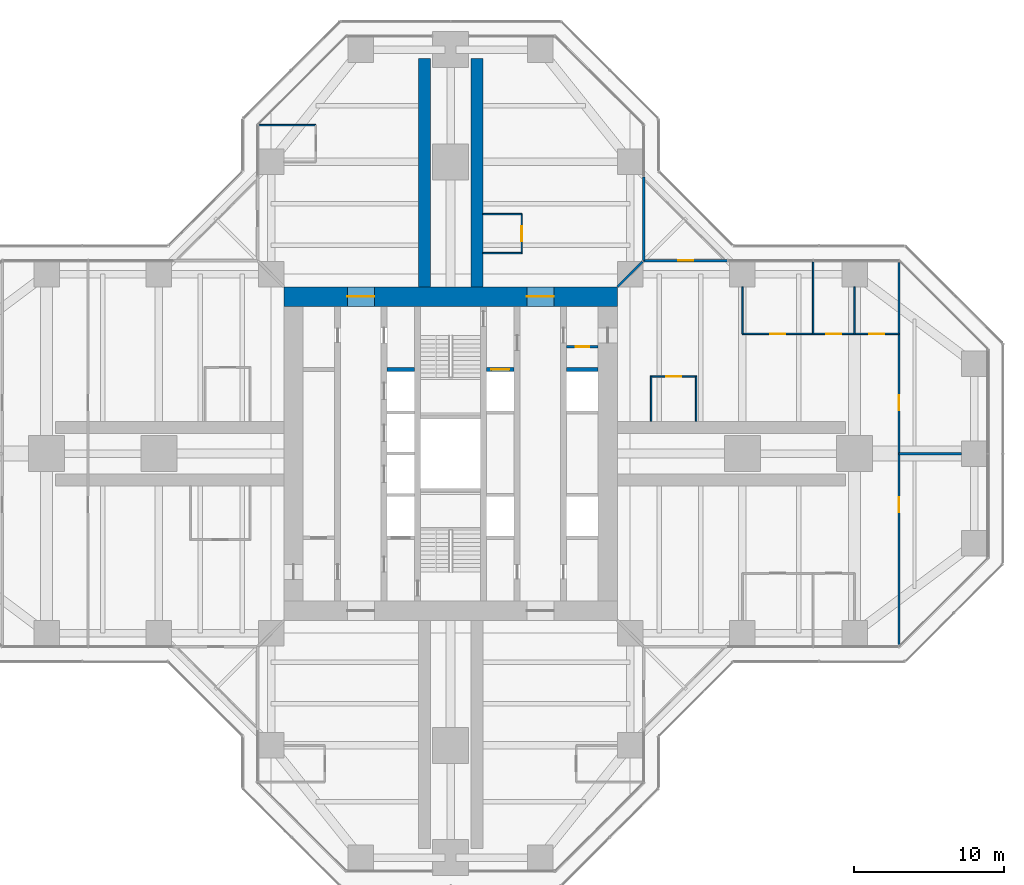
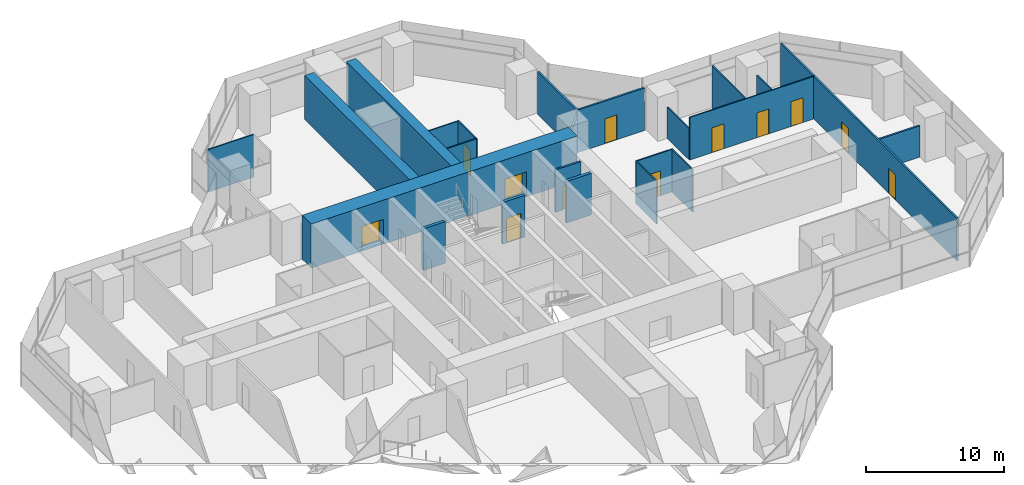
# One storey, part 17 of 20: 23 walls, 12 doors, 12 openings.
"""IFC4 building model written with IfcOpenShell, lengths in metres."""

from ifc_helpers import new_model, si_unit, direction, frame, frame_2d, origin, place, context, subcontext, project, spatial, rectangle, extrude, material, layer, layer_set, type_object, element, fill, save


model = new_model("IFC4")

# Units and contexts
model_context = context("Model", 3, precision=1e-05, world=origin(), true_north=direction((0.0, 1.0)))
body_context = subcontext(model_context, "Body", "Model", "MODEL_VIEW")
ifc_project = project(units=[si_unit("LENGTHUNIT", "METRE"), si_unit("AREAUNIT", "SQUARE_METRE"), si_unit("VOLUMEUNIT", "CUBIC_METRE"), si_unit("PLANEANGLEUNIT", "RADIAN"), si_unit("MASSUNIT", "GRAM", prefix="KILO")], contexts=[model_context])

# Site, building, storey
site_placement = place(None, origin())
site = spatial("IfcSite", under=ifc_project, at=site_placement, CompositionType="ELEMENT")
building_placement = place(site_placement, origin())
building = spatial("IfcBuilding", under=site, at=building_placement, Name="Mizan Broadcast Tower", CompositionType="ELEMENT")
storey_placement = place(building_placement, frame((0.0, 0.0, 151.5)))
storey = spatial("IfcBuildingStorey", under=building, at=storey_placement, Name="L34", CompositionType="ELEMENT", Elevation=151.5)

# Wall, opening, door
ifc_material_1 = material(Name="Concrete blockwork", Category="masonry")
ifc_layer_1 = layer(ifc_material_1, 0.14990234375)
ifc_layer_set_1 = layer_set([ifc_layer_1], Name="Concrete blockwork")
wall_type_1 = type_object("IfcWallType", Name="CORE PARTITION 150", PredefinedType="SOLIDWALL", material=ifc_layer_set_1)
wall_1_placement = place(storey_placement, frame((9.85009765625, 7.14990234375, 0.0), z_axis=(0.0, 0.0, 1.0), x_axis=(-1.0, 0.0, 0.0)))
wall_1 = element("IfcWall", 1, at=wall_1_placement, inside=storey, type_object=wall_type_1, Name="Core partition CORE/XPE", PredefinedType="SOLIDWALL", context=body_context, shape_type="SweptSolid", body=[
    extrude(rectangle(XDim=2.10009765625, YDim=0.14990234375, at=frame_2d((1.050048828125, 0.0))), origin(), (0.0, 0.0, 1.0), 3.77001953125),
])
opening_1_placement = place(wall_1_placement, frame((0.60009765625, 0.0, 0.0)))
opening_1 = element("IfcOpeningElement", 2, at=opening_1_placement, cuts=wall_1, Name="Opening D09F", PredefinedType="OPENING", context=body_context, shape_type="SweptSolid", body=[
    extrude(rectangle(XDim=0.89990234375, YDim=2.10009765625, at=frame_2d((0.449951171875, 1.050048828125))), frame((0.0, 0.0849609375, 0.0), z_axis=(0.0, -1.0, 0.0), x_axis=(1.0, 0.0, 0.0)), (0.0, 0.0, 1.0), 0.169921875),
])
ifc_material_2 = material(Name="Steel door leaf in steel frame", Category="steel")
door_type_1 = type_object("IfcDoorType", Name="CORE ROOM DOOR 900 FD90", OperationType="SINGLE_SWING_LEFT", PredefinedType="DOOR", material=ifc_material_2)
door_1_placement = place(opening_1_placement, origin())
door_1 = element("IfcDoor", 3, at=door_1_placement, inside=storey, type_object=door_type_1, Name="Comms cupboard door", OperationType="SINGLE_SWING_RIGHT", OverallHeight=2.10009765625, OverallWidth=0.89990234375, PredefinedType="DOOR", context=body_context, shape_type="SweptSolid", body=[
    extrude(rectangle(XDim=0.89990234375, YDim=2.10009765625, at=frame_2d((0.449951171875, 1.050048828125))), frame((0.0, 0.02490234375, 0.0), z_axis=(0.0, -1.0, 0.0), x_axis=(1.0, 0.0, 0.0)), (0.0, 0.0, 1.0), 0.050048828125),
])
fill(opening_1, door_1)

# Wall, openings, doors
ifc_material_3 = material(Name="Concrete C70/85", Category="concrete")
ifc_layer_2 = layer(ifc_material_3, 1.300048828125)
ifc_layer_set_2 = layer_set([ifc_layer_2], Name="Concrete C70/85")
wall_type_2 = type_object("IfcWallType", Name="CORE WALL 1300", PredefinedType="SHEAR", material=ifc_layer_set_2)
wall_2_placement = place(storey_placement, frame((-11.14990234375, 10.5, 0.0), z_axis=(0.0, 0.0, 1.0), x_axis=(1.0, 0.0, 0.0)))
wall_2 = element("IfcWall", 4, at=wall_2_placement, inside=storey, type_object=wall_type_2, Name="Core wall N L34", PredefinedType="SHEAR", context=body_context, shape_type="SweptSolid", body=[
    extrude(rectangle(XDim=22.2998046875, YDim=1.300048828125, at=frame_2d((11.14990234375, 0.0))), origin(), (0.0, 0.0, 1.0), 3.89990234375),
])
opening_2_placement = place(wall_2_placement, frame((4.25, 0.0, 0.0)))
opening_2 = element("IfcOpeningElement", 5, at=opening_2_placement, cuts=wall_2, Name="Opening D18F", PredefinedType="OPENING", context=body_context, shape_type="SweptSolid", body=[
    extrude(rectangle(XDim=1.800048828125, YDim=2.199951171875, at=frame_2d((0.89990234375, 1.10009765625))), frame((0.0, 0.659912109375, 0.0), z_axis=(0.0, -1.0, 0.0), x_axis=(1.0, 0.0, 0.0)), (0.0, 0.0, 1.0), 1.320068359375),
])
opening_3_placement = place(wall_2_placement, frame((16.25, 0.0, 0.0)))
opening_3 = element("IfcOpeningElement", 6, at=opening_3_placement, cuts=wall_2, Name="Opening D18F", PredefinedType="OPENING", context=body_context, shape_type="SweptSolid", body=[
    extrude(rectangle(XDim=1.800048828125, YDim=2.199951171875, at=frame_2d((0.89990234375, 1.10009765625))), frame((0.0, 0.659912109375, 0.0), z_axis=(0.0, -1.0, 0.0), x_axis=(1.0, 0.0, 0.0)), (0.0, 0.0, 1.0), 1.320068359375),
])
ifc_material_4 = material(Name="Steel door leaf in steel frame", Category="steel")
door_type_2 = type_object("IfcDoorType", Name="LOBBY DOUBLE DOOR 1800 FD90", OperationType="DOUBLE_DOOR_DOUBLE_SWING", PredefinedType="DOOR", material=ifc_material_4)
door_2_placement = place(opening_2_placement, origin())
door_2 = element("IfcDoor", 7, at=door_2_placement, inside=storey, type_object=door_type_2, Name="West lift lobby north door", OperationType="DOUBLE_DOOR_DOUBLE_SWING", OverallHeight=2.199951171875, OverallWidth=1.800048828125, PredefinedType="DOOR", context=body_context, shape_type="SweptSolid", body=[
    extrude(rectangle(XDim=1.800048828125, YDim=2.199951171875, at=frame_2d((0.89990234375, 1.10009765625))), frame((0.0, 0.02490234375, 0.0), z_axis=(0.0, -1.0, 0.0), x_axis=(1.0, 0.0, 0.0)), (0.0, 0.0, 1.0), 0.050048828125),
])
fill(opening_2, door_2)
door_3_placement = place(opening_3_placement, origin())
door_3 = element("IfcDoor", 8, at=door_3_placement, inside=storey, type_object=door_type_2, Name="East lift lobby north door", OperationType="DOUBLE_DOOR_DOUBLE_SWING", OverallHeight=2.199951171875, OverallWidth=1.800048828125, PredefinedType="DOOR", context=body_context, shape_type="SweptSolid", body=[
    extrude(rectangle(XDim=1.800048828125, YDim=2.199951171875, at=frame_2d((0.89990234375, 1.10009765625))), frame((0.0, 0.02490234375, 0.0), z_axis=(0.0, -1.0, 0.0), x_axis=(1.0, 0.0, 0.0)), (0.0, 0.0, 1.0), 0.050048828125),
])
fill(opening_3, door_3)

# Wall, opening, door
ifc_material_5 = material(Name="Aluminium framed glazed screen", Category="aluminium")
ifc_layer_3 = layer(ifc_material_5, 0.159912109375)
ifc_layer_set_3 = layer_set([ifc_layer_3], Name="Aluminium framed glazed screen")
wall_type_3 = type_object("IfcWallType", Name="GLAZED SCREEN WALL 160", PredefinedType="SOLIDWALL", material=ifc_layer_set_3)
wall_3_placement = place(storey_placement, frame((18.5, 12.89990234375, 0.0), z_axis=(0.0, 0.0, 1.0), x_axis=(-1.0, 0.0, 0.0)))
wall_3 = element("IfcWall", 9, at=wall_3_placement, inside=storey, type_object=wall_type_3, Name="Winter garden screen L34 E", PredefinedType="SOLIDWALL", context=body_context, shape_type="SweptSolid", body=[
    extrude(rectangle(XDim=5.60009765625, YDim=0.159912109375, at=frame_2d((2.800048828125, 0.0))), origin(), (0.0, 0.0, 1.0), 3.77001953125),
])
opening_4_placement = place(wall_3_placement, frame((2.300048828125, 0.0, 0.0)))
opening_4 = element("IfcOpeningElement", 10, at=opening_4_placement, cuts=wall_3, Name="Opening WGD", PredefinedType="OPENING", context=body_context, shape_type="SweptSolid", body=[
    extrude(rectangle(XDim=1.0, YDim=2.199951171875, at=frame_2d((0.5, 1.10009765625))), frame((0.0, 0.08984375, 0.0), z_axis=(0.0, -1.0, 0.0), x_axis=(1.0, 0.0, 0.0)), (0.0, 0.0, 1.0), 0.179931640625),
])
ifc_material_6 = material(Name="Aluminium framed glazed door", Category="aluminium")
door_type_3 = type_object("IfcDoorType", Name="WINTER GARDEN DOOR 1000 GLAZED", OperationType="SINGLE_SWING_LEFT", PredefinedType="DOOR", material=ifc_material_6)
door_4_placement = place(opening_4_placement, origin())
door_4 = element("IfcDoor", 11, at=door_4_placement, inside=storey, type_object=door_type_3, Name="Winter garden door L34 E", OperationType="SINGLE_SWING_RIGHT", OverallHeight=2.199951171875, OverallWidth=1.0, PredefinedType="DOOR", context=body_context, shape_type="SweptSolid", body=[
    extrude(rectangle(XDim=1.0, YDim=2.199951171875, at=frame_2d((0.5, 1.10009765625))), frame((0.0, 0.02490234375, 0.0), z_axis=(0.0, -1.0, 0.0), x_axis=(1.0, 0.0, 0.0)), (0.0, 0.0, 1.0), 0.050048828125),
])
fill(opening_4, door_4)

# Walls
wall_4_placement = place(storey_placement, frame((12.89990234375, 12.89990234375, 0.0), z_axis=(0.0, 0.0, 1.0), x_axis=(0.0, 1.0, 0.0)))
element("IfcWall", 12, at=wall_4_placement, inside=storey, type_object=wall_type_3, Name="Winter garden screen L34 N", PredefinedType="SOLIDWALL", context=body_context, shape_type="SweptSolid", body=[
    extrude(rectangle(XDim=5.60009765625, YDim=0.159912109375, at=frame_2d((2.800048828125, 0.0))), origin(), (0.0, 0.0, 1.0), 3.77001953125),
])
ifc_material_7 = material(Name="Concrete blockwork", Category="masonry")
ifc_layer_4 = layer(ifc_material_7, 0.25)
ifc_layer_set_4 = layer_set([ifc_layer_4], Name="Concrete blockwork")
wall_type_4 = type_object("IfcWallType", Name="LOBBY ENCLOSURE WALL 250", PredefinedType="SOLIDWALL", material=ifc_layer_set_4)
wall_5_placement = place(storey_placement, frame((-4.25, 5.625, 0.0), z_axis=(0.0, 0.0, 1.0), x_axis=(1.0, 0.0, 0.0)))
element("IfcWall", 13, at=wall_5_placement, inside=storey, type_object=wall_type_4, Name="Lobby enclosure wall CORE/BW2N", PredefinedType="SOLIDWALL", context=body_context, shape_type="SweptSolid", body=[
    extrude(rectangle(XDim=1.85009765625, YDim=0.25, at=frame_2d((0.925048828125, 0.0))), origin(), (0.0, 0.0, 1.0), 3.699951171875),
])

# Wall, opening, door
wall_6_placement = place(storey_placement, frame((2.39990234375, 5.625, 0.0), z_axis=(0.0, 0.0, 1.0), x_axis=(1.0, 0.0, 0.0)))
wall_6 = element("IfcWall", 14, at=wall_6_placement, inside=storey, type_object=wall_type_4, Name="Lobby enclosure wall CORE/BE2N", PredefinedType="SOLIDWALL", context=body_context, shape_type="SweptSolid", body=[
    extrude(rectangle(XDim=1.85009765625, YDim=0.25, at=frame_2d((0.925048828125, 0.0))), origin(), (0.0, 0.0, 1.0), 3.699951171875),
])
opening_5_placement = place(wall_6_placement, frame((0.324951171875, 0.0, 0.0)))
opening_5 = element("IfcOpeningElement", 15, at=opening_5_placement, cuts=wall_6, Name="Opening LDF", PredefinedType="OPENING", context=body_context, shape_type="SweptSolid", body=[
    extrude(rectangle(XDim=1.199951171875, YDim=2.199951171875, at=frame_2d((0.60009765625, 1.10009765625))), frame((0.0, 0.135009765625, 0.0), z_axis=(0.0, -1.0, 0.0), x_axis=(1.0, 0.0, 0.0)), (0.0, 0.0, 1.0), 0.27001953125),
])
ifc_material_8 = material(Name="Steel door leaf in steel frame", Category="steel")
door_type_4 = type_object("IfcDoorType", Name="FIREFIGHTING LIFT LANDING DOOR 1200", OperationType="SLIDING_TO_LEFT", PredefinedType="DOOR", material=ifc_material_8)
door_5_placement = place(opening_5_placement, origin())
door_5 = element("IfcDoor", 16, at=door_5_placement, inside=storey, type_object=door_type_4, Name="Landing door FF2", OperationType="SLIDING_TO_LEFT", OverallHeight=2.199951171875, OverallWidth=1.199951171875, PredefinedType="DOOR", context=body_context, shape_type="SweptSolid", body=[
    extrude(rectangle(XDim=1.199951171875, YDim=2.199951171875, at=frame_2d((0.60009765625, 1.10009765625))), frame((0.0, 0.02490234375, 0.0), z_axis=(0.0, -1.0, 0.0), x_axis=(1.0, 0.0, 0.0)), (0.0, 0.0, 1.0), 0.050048828125),
])
fill(opening_5, door_5)

# Wall
wall_7_placement = place(storey_placement, frame((7.75, 5.625, 0.0), z_axis=(0.0, 0.0, 1.0), x_axis=(1.0, 0.0, 0.0)))
element("IfcWall", 17, at=wall_7_placement, inside=storey, type_object=wall_type_4, Name="Lobby enclosure wall CORE/BE1N", PredefinedType="SOLIDWALL", context=body_context, shape_type="SweptSolid", body=[
    extrude(rectangle(XDim=2.10009765625, YDim=0.25, at=frame_2d((1.050048828125, 0.0))), origin(), (0.0, 0.0, 1.0), 3.699951171875),
])

# Wall, openings, doors
ifc_material_9 = material(Name="Gypsum board on steel studs", Category="steel")
ifc_layer_5 = layer(ifc_material_9, 0.14990234375)
ifc_layer_set_5 = layer_set([ifc_layer_5], Name="Gypsum board on steel studs")
wall_type_5 = type_object("IfcWallType", Name="PARTITION 150", PredefinedType="PARTITIONING", material=ifc_layer_set_5)
wall_8_placement = place(storey_placement, frame((29.958984375, -12.786376953125, 0.0), z_axis=(0.0, 0.0, 1.0), x_axis=(0.0, 1.0, 0.0)))
wall_8 = element("IfcWall", 18, at=wall_8_placement, inside=storey, type_object=wall_type_5, Name="Partition PT/EX1", PredefinedType="PARTITIONING", context=body_context, shape_type="SweptSolid", body=[
    extrude(rectangle(XDim=25.57275390625, YDim=0.14990234375, at=frame_2d((12.786376953125, 0.0))), origin(), (0.0, 0.0, 1.0), 3.77001953125),
])
opening_6_placement = place(wall_8_placement, frame((15.6865234375, 0.0, 0.0)))
opening_6 = element("IfcOpeningElement", 19, at=opening_6_placement, cuts=wall_8, Name="Opening D10", PredefinedType="OPENING", context=body_context, shape_type="SweptSolid", body=[
    extrude(rectangle(XDim=1.0, YDim=2.199951171875, at=frame_2d((0.5, 1.10009765625))), frame((0.0, 0.0849609375, 0.0), z_axis=(0.0, -1.0, 0.0), x_axis=(1.0, 0.0, 0.0)), (0.0, 0.0, 1.0), 0.169921875),
])
opening_7_placement = place(wall_8_placement, frame((8.886474609375, 0.0, 0.0)))
opening_7 = element("IfcOpeningElement", 20, at=opening_7_placement, cuts=wall_8, Name="Opening D10", PredefinedType="OPENING", context=body_context, shape_type="SweptSolid", body=[
    extrude(rectangle(XDim=1.0, YDim=2.199951171875, at=frame_2d((0.5, 1.10009765625))), frame((0.0, 0.0849609375, 0.0), z_axis=(0.0, -1.0, 0.0), x_axis=(1.0, 0.0, 0.0)), (0.0, 0.0, 1.0), 0.169921875),
])
ifc_material_10 = material(Name="Timber door leaf in aluminium frame", Category="wood")
door_type_5 = type_object("IfcDoorType", Name="ROOM DOOR 1000", OperationType="SINGLE_SWING_LEFT", PredefinedType="DOOR", material=ifc_material_10)
door_6_placement = place(opening_6_placement, origin())
door_6 = element("IfcDoor", 21, at=door_6_placement, inside=storey, type_object=door_type_5, Name="Open office door", OperationType="SINGLE_SWING_RIGHT", OverallHeight=2.199951171875, OverallWidth=1.0, PredefinedType="DOOR", context=body_context, shape_type="SweptSolid", body=[
    extrude(rectangle(XDim=1.0, YDim=2.199951171875, at=frame_2d((0.5, 1.10009765625))), frame((0.0, 0.02490234375, 0.0), z_axis=(0.0, -1.0, 0.0), x_axis=(1.0, 0.0, 0.0)), (0.0, 0.0, 1.0), 0.050048828125),
])
fill(opening_6, door_6)
door_7_placement = place(opening_7_placement, origin())
door_7 = element("IfcDoor", 22, at=door_7_placement, inside=storey, type_object=door_type_5, Name="Open office door", OperationType="SINGLE_SWING_LEFT", OverallHeight=2.199951171875, OverallWidth=1.0, PredefinedType="DOOR", context=body_context, shape_type="SweptSolid", body=[
    extrude(rectangle(XDim=1.0, YDim=2.199951171875, at=frame_2d((0.5, 1.10009765625))), frame((0.0, 0.02490234375, 0.0), z_axis=(0.0, -1.0, 0.0), x_axis=(1.0, 0.0, 0.0)), (0.0, 0.0, 1.0), 0.050048828125),
])
fill(opening_7, door_7)

# Walls
wall_9_placement = place(storey_placement, frame((29.958984375, 0.0, 0.0), z_axis=(0.0, 0.0, 1.0), x_axis=(1.0, 0.0, 0.0)))
element("IfcWall", 23, at=wall_9_placement, inside=storey, type_object=wall_type_5, Name="Partition PT/EES", PredefinedType="PARTITIONING", context=body_context, shape_type="SweptSolid", body=[
    extrude(rectangle(XDim=4.19091796875, YDim=0.14990234375, at=frame_2d((2.095458984375, 0.0))), origin(), (0.0, 0.0, 1.0), 2.77001953125),
])
wall_10_placement = place(storey_placement, frame((11.14990234375, 11.14990234375, 0.0), z_axis=(0.0, 0.0, 1.0), x_axis=(0.707106781187, 0.707106781187, 0.0)))
element("IfcWall", 24, at=wall_10_placement, inside=storey, type_object=wall_type_5, Name="Partition PT/DGEN", PredefinedType="PARTITIONING", context=body_context, shape_type="SweptSolid", body=[
    extrude(rectangle(XDim=2.362060546875, YDim=0.14990234375, at=frame_2d((1.18115234375, 0.0))), origin(), (0.0, 0.0, 1.0), 3.219970703125),
])

# Wall, openings, doors
ifc_material_11 = material(Name="Glazed aluminium partition on aluminium track", Category="aluminium")
ifc_layer_6 = layer(ifc_material_11, 0.10009765625)
ifc_layer_set_6 = layer_set([ifc_layer_6], Name="Glazed aluminium partition on aluminium track")
wall_type_6 = type_object("IfcWallType", Name="PARTITION GLAZED OFFICE FRONT 100", PredefinedType="PARTITIONING", material=ifc_layer_set_6)
wall_11_placement = place(storey_placement, frame((19.5, 8.0, 0.0), z_axis=(0.0, 0.0, 1.0), x_axis=(1.0, 0.0, 0.0)))
wall_11 = element("IfcWall", 25, at=wall_11_placement, inside=storey, type_object=wall_type_6, Name="Glazed office front PT/ECP0", PredefinedType="PARTITIONING", context=body_context, shape_type="SweptSolid", body=[
    extrude(rectangle(XDim=10.458984375, YDim=0.10009765625, at=frame_2d((5.2294921875, 0.0))), origin(), (0.0, 0.0, 1.0), 3.77001953125),
])
opening_8_placement = place(wall_11_placement, frame((1.864501953125, 0.0, 0.0)))
opening_8 = element("IfcOpeningElement", 26, at=opening_8_placement, cuts=wall_11, Name="Opening D10O", PredefinedType="OPENING", context=body_context, shape_type="SweptSolid", body=[
    extrude(rectangle(XDim=1.0, YDim=2.199951171875, at=frame_2d((0.5, 1.10009765625))), frame((0.0, 0.06005859375, 0.0), z_axis=(0.0, -1.0, 0.0), x_axis=(1.0, 0.0, 0.0)), (0.0, 0.0, 1.0), 0.1201171875),
])
opening_9_placement = place(wall_11_placement, frame((5.614501953125, 0.0, 0.0)))
opening_9 = element("IfcOpeningElement", 27, at=opening_9_placement, cuts=wall_11, Name="Opening D10O", PredefinedType="OPENING", context=body_context, shape_type="SweptSolid", body=[
    extrude(rectangle(XDim=1.0, YDim=2.199951171875, at=frame_2d((0.5, 1.10009765625))), frame((0.0, 0.06005859375, 0.0), z_axis=(0.0, -1.0, 0.0), x_axis=(1.0, 0.0, 0.0)), (0.0, 0.0, 1.0), 0.1201171875),
])
opening_10_placement = place(wall_11_placement, frame((8.4794921875, 0.0, 0.0)))
opening_10 = element("IfcOpeningElement", 28, at=opening_10_placement, cuts=wall_11, Name="Opening D10O", PredefinedType="OPENING", context=body_context, shape_type="SweptSolid", body=[
    extrude(rectangle(XDim=1.0, YDim=2.199951171875, at=frame_2d((0.5, 1.10009765625))), frame((0.0, 0.06005859375, 0.0), z_axis=(0.0, -1.0, 0.0), x_axis=(1.0, 0.0, 0.0)), (0.0, 0.0, 1.0), 0.1201171875),
])
ifc_material_12 = material(Name="Timber door leaf in aluminium frame", Category="wood")
door_type_6 = type_object("IfcDoorType", Name="OFFICE DOOR 1000 GLAZED", OperationType="SINGLE_SWING_LEFT", PredefinedType="DOOR", material=ifc_material_12)
door_8_placement = place(opening_8_placement, origin())
door_8 = element("IfcDoor", 29, at=door_8_placement, inside=storey, type_object=door_type_6, Name="Office door", OperationType="SINGLE_SWING_LEFT", OverallHeight=2.199951171875, OverallWidth=1.0, PredefinedType="DOOR", context=body_context, shape_type="SweptSolid", body=[
    extrude(rectangle(XDim=1.0, YDim=2.199951171875, at=frame_2d((0.5, 1.10009765625))), frame((0.0, 0.02490234375, 0.0), z_axis=(0.0, -1.0, 0.0), x_axis=(1.0, 0.0, 0.0)), (0.0, 0.0, 1.0), 0.050048828125),
])
fill(opening_8, door_8)
door_9_placement = place(opening_9_placement, origin())
door_9 = element("IfcDoor", 30, at=door_9_placement, inside=storey, type_object=door_type_6, Name="Office door", OperationType="SINGLE_SWING_RIGHT", OverallHeight=2.199951171875, OverallWidth=1.0, PredefinedType="DOOR", context=body_context, shape_type="SweptSolid", body=[
    extrude(rectangle(XDim=1.0, YDim=2.199951171875, at=frame_2d((0.5, 1.10009765625))), frame((0.0, 0.02490234375, 0.0), z_axis=(0.0, -1.0, 0.0), x_axis=(1.0, 0.0, 0.0)), (0.0, 0.0, 1.0), 0.050048828125),
])
fill(opening_9, door_9)
door_10_placement = place(opening_10_placement, origin())
door_10 = element("IfcDoor", 31, at=door_10_placement, inside=storey, type_object=door_type_6, Name="Office door", OperationType="SINGLE_SWING_RIGHT", OverallHeight=2.199951171875, OverallWidth=1.0, PredefinedType="DOOR", context=body_context, shape_type="SweptSolid", body=[
    extrude(rectangle(XDim=1.0, YDim=2.199951171875, at=frame_2d((0.5, 1.10009765625))), frame((0.0, 0.02490234375, 0.0), z_axis=(0.0, -1.0, 0.0), x_axis=(1.0, 0.0, 0.0)), (0.0, 0.0, 1.0), 0.050048828125),
])
fill(opening_10, door_10)

# Walls
wall_12_placement = place(storey_placement, frame((19.5, 8.0, 0.0), z_axis=(0.0, 0.0, 1.0), x_axis=(0.0, 1.0, 0.0)))
element("IfcWall", 32, at=wall_12_placement, inside=storey, type_object=wall_type_6, Name="Glazed office front PT/EQP1950", PredefinedType="PARTITIONING", context=body_context, shape_type="SweptSolid", body=[
    extrude(rectangle(XDim=3.14990234375, YDim=0.10009765625, at=frame_2d((1.574951171875, 0.0))), origin(), (0.0, 0.0, 1.0), 2.77001953125),
])
wall_13_placement = place(storey_placement, frame((24.22900390625, 8.0, 0.0), z_axis=(0.0, 0.0, 1.0), x_axis=(0.0, 1.0, 0.0)))
element("IfcWall", 33, at=wall_13_placement, inside=storey, type_object=wall_type_6, Name="Glazed office front PT/EQP2423", PredefinedType="PARTITIONING", context=body_context, shape_type="SweptSolid", body=[
    extrude(rectangle(XDim=4.820068359375, YDim=0.10009765625, at=frame_2d((2.41015625, 0.0))), origin(), (0.0, 0.0, 1.0), 3.77001953125),
])
wall_14_placement = place(storey_placement, frame((27.0, 8.0, 0.0), z_axis=(0.0, 0.0, 1.0), x_axis=(0.0, 1.0, 0.0)))
element("IfcWall", 34, at=wall_14_placement, inside=storey, type_object=wall_type_6, Name="Glazed office front PT/EQP2700", PredefinedType="PARTITIONING", context=body_context, shape_type="SweptSolid", body=[
    extrude(rectangle(XDim=3.14990234375, YDim=0.10009765625, at=frame_2d((1.574951171875, 0.0))), origin(), (0.0, 0.0, 1.0), 2.969970703125),
])
for number, where, z_axis, x_axis, name in (
    (35, (13.39990234375, 2.14990234375, 0.0), (0.0, 0.0, 1.0), (0.0, 1.0, 0.0), "Glazed office front PT/EKP0a"),
    (36, (16.39990234375, 2.14990234375, 0.0), (0.0, 0.0, 1.0), (0.0, 1.0, 0.0), "Glazed office front PT/EKP0b"),
):
    element("IfcWall", number, at=place(storey_placement, frame(where, z_axis=z_axis, x_axis=x_axis)), inside=storey, type_object=wall_type_6, Name=name, PredefinedType="PARTITIONING", context=body_context, shape_type="SweptSolid", body=[
        extrude(rectangle(XDim=3.0, YDim=0.10009765625, at=frame_2d((1.5, 0.0))), origin(), (0.0, 0.0, 1.0), 3.77001953125),
    ])

# Wall, opening, door
wall_15_placement = place(storey_placement, frame((13.35009765625, 5.14990234375, 0.0), z_axis=(0.0, 0.0, 1.0), x_axis=(1.0, 0.0, 0.0)))
wall_15 = element("IfcWall", 37, at=wall_15_placement, inside=storey, type_object=wall_type_6, Name="Glazed office front PT/EKP0f", PredefinedType="PARTITIONING", context=body_context, shape_type="SweptSolid", body=[
    extrude(rectangle(XDim=3.099853515625, YDim=0.10009765625, at=frame_2d((1.5498046875, 0.0))), origin(), (0.0, 0.0, 1.0), 3.77001953125),
])
opening_11_placement = place(wall_15_placement, frame((1.050048828125, 0.0, 0.0)))
opening_11 = element("IfcOpeningElement", 38, at=opening_11_placement, cuts=wall_15, Name="Opening D10O", PredefinedType="OPENING", context=body_context, shape_type="SweptSolid", body=[
    extrude(rectangle(XDim=1.0, YDim=2.199951171875, at=frame_2d((0.5, 1.10009765625))), frame((0.0, 0.06005859375, 0.0), z_axis=(0.0, -1.0, 0.0), x_axis=(1.0, 0.0, 0.0)), (0.0, 0.0, 1.0), 0.1201171875),
])
door_11_placement = place(opening_11_placement, origin())
door_11 = element("IfcDoor", 39, at=door_11_placement, inside=storey, type_object=door_type_6, Name="Pantry door", OperationType="SINGLE_SWING_LEFT", OverallHeight=2.199951171875, OverallWidth=1.0, PredefinedType="DOOR", context=body_context, shape_type="SweptSolid", body=[
    extrude(rectangle(XDim=1.0, YDim=2.199951171875, at=frame_2d((0.5, 1.10009765625))), frame((0.0, 0.02490234375, 0.0), z_axis=(0.0, -1.0, 0.0), x_axis=(1.0, 0.0, 0.0)), (0.0, 0.0, 1.0), 0.050048828125),
])
fill(opening_11, door_11)

# Walls
wall_16_placement = place(storey_placement, frame((-9.0, 21.958984375, 0.0), z_axis=(0.0, 0.0, 1.0), x_axis=(-1.0, 0.0, 0.0)))
element("IfcWall", 40, at=wall_16_placement, inside=storey, type_object=wall_type_6, Name="Glazed office front PT/NQP2196", PredefinedType="PARTITIONING", context=body_context, shape_type="SweptSolid", body=[
    extrude(rectangle(XDim=3.820068359375, YDim=0.10009765625, at=frame_2d((1.91015625, 0.0))), origin(), (0.0, 0.0, 1.0), 3.77001953125),
])
for number, where, z_axis, x_axis, name in (
    (41, (2.14990234375, 13.39990234375, 0.0), (0.0, 0.0, 1.0), (1.0, 0.0, 0.0), "Glazed office front PT/NKN0a"),
    (42, (2.14990234375, 16.0, 0.0), (0.0, 0.0, 1.0), (1.0, 0.0, 0.0), "Glazed office front PT/NKN0b"),
):
    element("IfcWall", number, at=place(storey_placement, frame(where, z_axis=z_axis, x_axis=x_axis)), inside=storey, type_object=wall_type_6, Name=name, PredefinedType="PARTITIONING", context=body_context, shape_type="SweptSolid", body=[
        extrude(rectangle(XDim=2.60009765625, YDim=0.10009765625, at=frame_2d((1.300048828125, 0.0))), origin(), (0.0, 0.0, 1.0), 3.77001953125),
    ])

# Wall, opening, door
wall_17_placement = place(storey_placement, frame((4.75, 13.35009765625, 0.0), z_axis=(0.0, 0.0, 1.0), x_axis=(0.0, 1.0, 0.0)))
wall_17 = element("IfcWall", 43, at=wall_17_placement, inside=storey, type_object=wall_type_6, Name="Glazed office front PT/NKN0f", PredefinedType="PARTITIONING", context=body_context, shape_type="SweptSolid", body=[
    extrude(rectangle(XDim=2.699951171875, YDim=0.10009765625, at=frame_2d((1.35009765625, 0.0))), origin(), (0.0, 0.0, 1.0), 3.77001953125),
])
opening_12_placement = place(wall_17_placement, frame((0.85009765625, 0.0, 0.0)))
opening_12 = element("IfcOpeningElement", 44, at=opening_12_placement, cuts=wall_17, Name="Opening D10O", PredefinedType="OPENING", context=body_context, shape_type="SweptSolid", body=[
    extrude(rectangle(XDim=1.0, YDim=2.199951171875, at=frame_2d((0.5, 1.10009765625))), frame((0.0, 0.06005859375, 0.0), z_axis=(0.0, -1.0, 0.0), x_axis=(1.0, 0.0, 0.0)), (0.0, 0.0, 1.0), 0.1201171875),
])
door_12_placement = place(opening_12_placement, origin())
door_12 = element("IfcDoor", 45, at=door_12_placement, inside=storey, type_object=door_type_6, Name="Quiet room door", OperationType="SINGLE_SWING_LEFT", OverallHeight=2.199951171875, OverallWidth=1.0, PredefinedType="DOOR", context=body_context, shape_type="SweptSolid", body=[
    extrude(rectangle(XDim=1.0, YDim=2.199951171875, at=frame_2d((0.5, 1.10009765625))), frame((0.0, 0.02490234375, 0.0), z_axis=(0.0, -1.0, 0.0), x_axis=(1.0, 0.0, 0.0)), (0.0, 0.0, 1.0), 0.050048828125),
])
fill(opening_12, door_12)

# Walls
ifc_material_13 = material(Name="Concrete C70/85", Category="concrete")
ifc_layer_7 = layer(ifc_material_13, 0.800048828125)
ifc_layer_set_7 = layer_set([ifc_layer_7], Name="Concrete C70/85")
wall_type_7 = type_object("IfcWallType", Name="SPINE WALL 800", PredefinedType="SHEAR", material=ifc_layer_set_7)
for number, where, z_axis, x_axis, name in (
    (46, (1.75, 11.14990234375, 0.0), (0.0, 0.0, 1.0), (0.0, 1.0, 0.0), "Spine wall NR L34"),
    (47, (-1.75, 11.14990234375, 0.0), (0.0, 0.0, 1.0), (0.0, 1.0, 0.0), "Spine wall NL L34"),
):
    element("IfcWall", number, at=place(storey_placement, frame(where, z_axis=z_axis, x_axis=x_axis)), inside=storey, type_object=wall_type_7, Name=name, PredefinedType="SHEAR", context=body_context, shape_type="SweptSolid", body=[
        extrude(rectangle(XDim=15.25, YDim=0.800048828125, at=frame_2d((7.625, 0.0))), origin(), (0.0, 0.0, 1.0), 3.89990234375),
    ])

save(model, "model.ifc")
